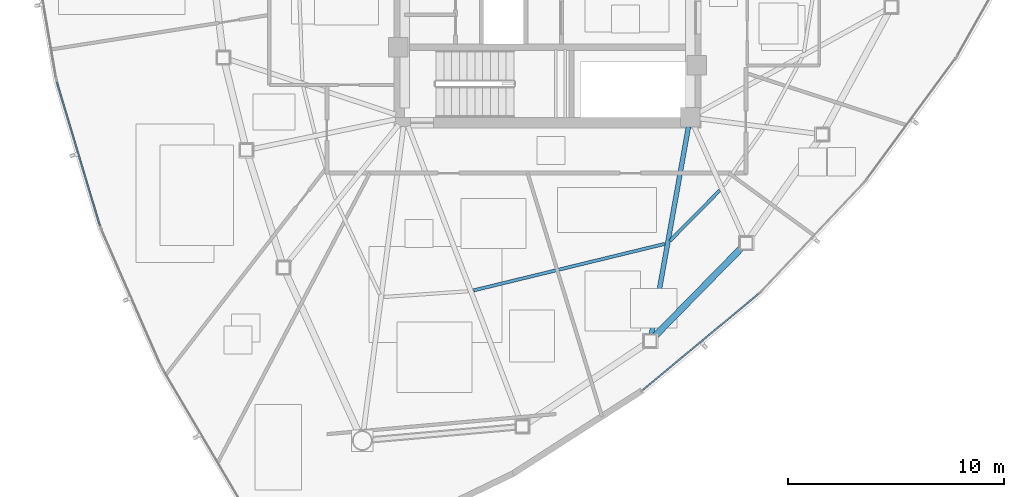
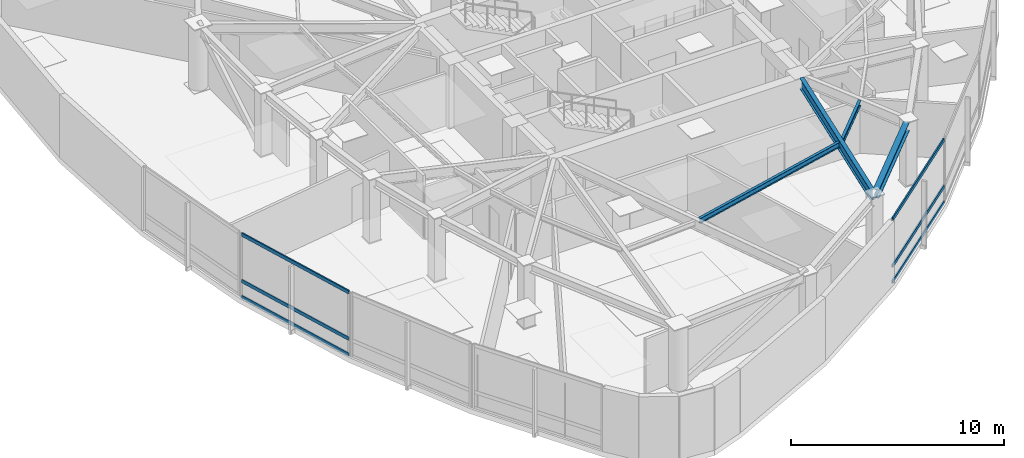
# One storey, part 3 of 15: 6 members, 4 beams, 2 elements without a shape of their own.
"""IFC4 building model written with IfcOpenShell, lengths in metres."""

import ifcopenshell
import ifcopenshell.guid

model = None  # the IFC model being written
_history = None  # IfcOwnerHistory: only IFC2X3 demands one
_inside = {}  # id of a spatial element -> (the spatial element, [elements in it])
_under = {}  # id of a project, library or spatial element -> (it, [spatial elements below it])
_declared = {}  # id of a project -> (the project, [libraries it declares])
_typed = {}  # id of a type object -> (the type object, [elements of that type])
_made_of = {}  # id of a material, layer set ... -> (it, [elements and type objects made of it])


def new_model(schema):
    """Start an empty IFC model of exactly this schema.

    Asked for "IFC4X3", IfcOpenShell would pick the latest addendum, in which some entities
    have other attributes; the version numbers below select the first issue.
    IFC2X3 requires an IfcOwnerHistory on every rooted entity: one is made here for all.
    """
    global model, _history
    if schema == "IFC4X3":
        model = ifcopenshell.file(schema_version=(4, 3, 0, 0))
    else:
        model = ifcopenshell.file(schema=schema)
    _inside.clear()
    _under.clear()
    _declared.clear()
    _typed.clear()
    _made_of.clear()
    _history = None
    if model.schema == "IFC2X3":
        org = make("IfcOrganization", Name="unknown")
        user = make(
            "IfcPersonAndOrganization",
            ThePerson=make("IfcPerson", FamilyName="unknown"),
            TheOrganization=org,
        )
        app = make(
            "IfcApplication",
            ApplicationDeveloper=org,
            Version="unknown",
            ApplicationFullName="unknown",
            ApplicationIdentifier="unknown",
        )
        _history = make(
            "IfcOwnerHistory",
            OwningUser=user,
            OwningApplication=app,
            ChangeAction="ADDED",
            CreationDate=0,
        )
    return model


def make(cls, **values):
    """One entity of the class cls with the attributes given. An attribute that is None is left unset."""
    return model.create_entity(
        cls, **{name: value for name, value in values.items() if value is not None}
    )


def rooted(cls, **values):
    """An entity with a GlobalId (a new one), such as an element, a storey or a relation."""
    return make(cls, GlobalId=ifcopenshell.guid.new(), OwnerHistory=_history, **values)


def si_unit(unit_type, name, prefix=None):
    """IfcSIUnit, for example si_unit("LENGTHUNIT", "METRE", prefix="MILLI")."""
    return make("IfcSIUnit", UnitType=unit_type, Prefix=prefix, Name=name)


def assignment(units):
    """IfcUnitAssignment: the units of a project."""
    return None if units is None else make("IfcUnitAssignment", Units=units)


def point(xyz):
    """IfcCartesianPoint."""
    return None if xyz is None else make("IfcCartesianPoint", Coordinates=xyz)


def direction(xyz):
    """IfcDirection."""
    return None if xyz is None else make("IfcDirection", DirectionRatios=xyz)


def frame(location, z_axis=None, x_axis=None):
    """IfcAxis2Placement3D, a coordinate frame: its origin and axes. An axis left out is left unset."""
    return make(
        "IfcAxis2Placement3D",
        Location=point(location),
        Axis=direction(z_axis),
        RefDirection=direction(x_axis),
    )


def frame_2d(location, x_axis=None):
    """IfcAxis2Placement2D, a coordinate frame in the plane: its origin and x axis."""
    return make(
        "IfcAxis2Placement2D", Location=point(location), RefDirection=direction(x_axis)
    )


def origin():
    """The frame at (0, 0, 0) with its axes left unset."""
    return frame((0.0, 0.0, 0.0))


def origin_2d():
    """The frame at (0, 0) in the plane with its x axis left unset."""
    return frame_2d((0.0, 0.0))


def place(relative_to, where):
    """IfcLocalPlacement: puts the frame where relative to a parent placement (None: the world)."""
    return make(
        "IfcLocalPlacement", PlacementRelTo=relative_to, RelativePlacement=where
    )


def context(
    kind, dimensions, precision=None, world=None, true_north=None, identifier=None
):
    """IfcGeometricRepresentationContext, for example the 3D "Model" context."""
    return make(
        "IfcGeometricRepresentationContext",
        ContextIdentifier=identifier,
        ContextType=kind,
        CoordinateSpaceDimension=dimensions,
        Precision=precision,
        WorldCoordinateSystem=world,
        TrueNorth=true_north,
    )


def subcontext(parent, identifier, kind, view, scale=None):
    """IfcGeometricRepresentationSubContext, for example "Body" below "Model"."""
    return make(
        "IfcGeometricRepresentationSubContext",
        ContextIdentifier=identifier,
        ContextType=kind,
        ParentContext=parent,
        TargetScale=scale,
        TargetView=view,
    )


def project(units=None, contexts=None):
    """IfcProject with its units and contexts."""
    return rooted(
        "IfcProject",
        Name="project",
        RepresentationContexts=contexts,
        UnitsInContext=assignment(units),
    )


def spatial(cls, under=None, at=None, **own):
    """A site, building, storey or space (cls), placed at a placement, below another one or the project."""
    s = rooted(cls, ObjectPlacement=at, **own)
    if under is not None:
        _under.setdefault(under.id(), (under, []))[1].append(s)
    return s


def profile(cls, at=None, kind="AREA", **sizes):
    """A parametric profile (cls). Its sizes go by their IFC names, for example OverallWidth=200.0."""
    return make(cls, ProfileType=kind, Position=at, **sizes)


def hollow_rectangle(**sizes):
    """IfcRectangleHollowProfileDef."""
    return profile("IfcRectangleHollowProfileDef", **sizes)


def i_section(**sizes):
    """IfcIShapeProfileDef."""
    return profile("IfcIShapeProfileDef", **sizes)


def extrude(swept, where, along, depth):
    """IfcExtrudedAreaSolid: the profile swept, set in the frame where, extruded along a direction by depth."""
    return make(
        "IfcExtrudedAreaSolid",
        SweptArea=swept,
        Position=where,
        ExtrudedDirection=direction(along),
        Depth=depth,
    )


def shape(context_of_items, identifier, shape_type, items):
    """IfcShapeRepresentation: the items that make up one representation, for example the "Body"."""
    return make(
        "IfcShapeRepresentation",
        ContextOfItems=context_of_items,
        RepresentationIdentifier=identifier,
        RepresentationType=shape_type,
        Items=items,
    )


def source(mapping_origin, context_of_items, identifier, shape_type, items):
    """IfcRepresentationMap: a shape defined once, which mapped items show again and again."""
    return make(
        "IfcRepresentationMap",
        MappingOrigin=mapping_origin,
        MappedRepresentation=shape(context_of_items, identifier, shape_type, items),
    )


def transform(
    local_origin,
    x_axis=None,
    y_axis=None,
    z_axis=None,
    scale=None,
    scale2=None,
    scale3=None,
    uniform=True,
):
    """IfcCartesianTransformationOperator3D, or its non-uniform kind. x_axis, y_axis, z_axis: its Axis1, 2, 3."""
    if uniform:
        return make(
            "IfcCartesianTransformationOperator3D",
            Axis1=direction(x_axis),
            Axis2=direction(y_axis),
            LocalOrigin=point(local_origin),
            Scale=scale,
            Axis3=direction(z_axis),
        )
    return make(
        "IfcCartesianTransformationOperator3DnonUniform",
        Axis1=direction(x_axis),
        Axis2=direction(y_axis),
        LocalOrigin=point(local_origin),
        Scale=scale,
        Axis3=direction(z_axis),
        Scale2=scale2,
        Scale3=scale3,
    )


def mapped(mapping_source, mapping_target):
    """IfcMappedItem: shows the shape of a source again, moved by a transform."""
    return make(
        "IfcMappedItem", MappingSource=mapping_source, MappingTarget=mapping_target
    )


def material(Name=None, Category=None):
    """IfcMaterial."""
    return make("IfcMaterial", Name=Name, Category=Category)


def layer(
    of_material, thickness, ventilated=None, Name=None, Category=None, Priority=None
):
    """IfcMaterialLayer: one layer of a wall or slab, of a material (None: an air gap)."""
    return make(
        "IfcMaterialLayer",
        Material=of_material,
        LayerThickness=thickness,
        IsVentilated=ventilated,
        Name=Name,
        Category=Category,
        Priority=Priority,
    )


def layer_set(layers, Name=None):
    """IfcMaterialLayerSet."""
    return make("IfcMaterialLayerSet", MaterialLayers=layers, LayerSetName=Name)


def material_profile(
    of_material, cross_section, Name=None, Category=None, Priority=None
):
    """IfcMaterialProfile: a cross section and its material."""
    return make(
        "IfcMaterialProfile",
        Name=Name,
        Material=of_material,
        Profile=cross_section,
        Priority=Priority,
        Category=Category,
    )


def profile_set(profiles, Name=None, composite=None):
    """IfcMaterialProfileSet."""
    return make(
        "IfcMaterialProfileSet",
        Name=Name,
        MaterialProfiles=profiles,
        CompositeProfile=composite,
    )


def made_of(thing, what):
    """Note that an element or type object is made of a material, layer set ...; save() writes the relation."""
    if what is not None:
        _made_of.setdefault(what.id(), (what, []))[1].append(thing)
    return thing


def type_object(cls, material=None, **own):
    """A type object (cls), such as IfcWallType, which elements share."""
    return made_of(rooted(cls, **own), material)


def type_shapes(of_type, sources):
    """Give a type object the sources (RepresentationMaps) that its elements show as mapped items."""
    of_type.RepresentationMaps = sources


def element(
    cls,
    number,
    at=None,
    inside=None,
    cuts=None,
    type_object=None,
    material=None,
    context=None,
    identifier="Body",
    shape_type=None,
    held_by="IfcProductDefinitionShape",
    body=None,
    shapes=None,
    **own,
):
    """One element of the class cls, such as IfcWall. Its Tag is "e" and its number.

    at: its placement. inside: the storey or other place that contains it. cuts: it is an
    opening in that element (IfcRelVoidsElement). A single representation is given by context,
    identifier, shape_type and body (its items); several are given by shapes. held_by: the class
    of the entity that holds the representations. save() writes the other relations.
    """
    e = rooted(cls, Tag="e%d" % number, ObjectPlacement=at, **own)
    if body is not None:
        shapes = [shape(context, identifier, shape_type, body)]
    if shapes is not None:
        e.Representation = make(held_by, Representations=shapes)
    if inside is not None:
        _inside.setdefault(inside.id(), (inside, []))[1].append(e)
    if cuts is not None:
        rooted(
            "IfcRelVoidsElement", RelatingBuildingElement=cuts, RelatedOpeningElement=e
        )
    if type_object is not None:
        _typed.setdefault(type_object.id(), (type_object, []))[1].append(e)
    return made_of(e, material)


def aggregate(whole, parts):
    """IfcRelAggregates: a whole, such as a stair, and the parts it consists of."""
    return rooted("IfcRelAggregates", RelatingObject=whole, RelatedObjects=parts)


def save(model, path):
    """Write the relations noted so far, then the file.

    IfcRelAggregates (storeys below a building ...), IfcRelContainedInSpatialStructure (elements
    in a storey), IfcRelDefinesByType, IfcRelAssociatesMaterial and IfcRelDeclares: one each for
    every whole, place, type object, material and project.
    """
    for whole, parts in _under.values():
        aggregate(whole, parts)
    for where, things in _inside.values():
        rooted(
            "IfcRelContainedInSpatialStructure",
            RelatedElements=things,
            RelatingStructure=where,
        )
    for kind, things in _typed.values():
        rooted("IfcRelDefinesByType", RelatedObjects=things, RelatingType=kind)
    for what, things in _made_of.values():
        rooted("IfcRelAssociatesMaterial", RelatedObjects=things, RelatingMaterial=what)
    for by, libraries in _declared.values():
        rooted("IfcRelDeclares", RelatingContext=by, RelatedDefinitions=libraries)
    model.write(path)


model = new_model("IFC4")

# Units and contexts
model_context = context("Model", 3, precision=1e-05, world=origin(), true_north=direction((0.0, 1.0)))
body_context = subcontext(model_context, "Body", "Model", "MODEL_VIEW")
ifc_project = project(units=[si_unit("LENGTHUNIT", "METRE"), si_unit("AREAUNIT", "SQUARE_METRE"), si_unit("VOLUMEUNIT", "CUBIC_METRE"), si_unit("PLANEANGLEUNIT", "RADIAN"), si_unit("MASSUNIT", "GRAM", prefix="KILO")], contexts=[model_context])

# Site, building, storey
site_placement = place(None, origin())
site = spatial("IfcSite", under=ifc_project, at=site_placement, CompositionType="ELEMENT")
building_placement = place(site_placement, origin())
building = spatial("IfcBuilding", under=site, at=building_placement, Name="Tavelor Broadcast Tower", CompositionType="ELEMENT")
storey_placement = place(building_placement, frame((0.0, 0.0, 222.14990234375)))
storey = spatial("IfcBuildingStorey", under=building, at=storey_placement, Name="L52", CompositionType="ELEMENT", Elevation=222.14990234375)

# Beams
ifc_material_1 = material(Name="Steel S355", Category="steel")
ifc_material_profile_1 = material_profile(ifc_material_1, i_section(OverallWidth=0.14990234375, OverallDepth=0.300048828125, WebThickness=0.007080078125, FlangeThickness=0.0107421875, at=origin_2d()), Name="IPE 300")
ifc_profile_set_1 = profile_set([ifc_material_profile_1], Name="Steel S355")
beam_type_1 = type_object("IfcBeamType", Name="Composite Floor Joist T5 IPE 300", PredefinedType="JOIST", material=ifc_profile_set_1)
beam_1_placement = place(storey_placement, frame((46.59423828125, 30.80078125, 3.5), z_axis=(0.971661934331, 0.236374883124, 0.0), x_axis=(-0.236374883124, 0.971661934331, 0.0)))
element("IfcBeam", 1, at=beam_1_placement, inside=storey, type_object=beam_type_1, Name="L52 Secondary Composite Floor Joist 08", PredefinedType="JOIST", context=body_context, shape_type="SweptSolid", body=[
    extrude(i_section(OverallWidth=0.14990234375, OverallDepth=0.300048828125, WebThickness=0.007080078125, FlangeThickness=0.0107421875, at=origin_2d()), origin(), (0.0, 0.0, 1.0), 9.089111328125),
])
beam_2_placement = place(storey_placement, frame((55.6591796875, 33.081298828125, 3.5), z_axis=(0.702295555333, 0.711885491465, 0.0), x_axis=(-0.711885491465, 0.702295555333, 0.0)))
element("IfcBeam", 2, at=beam_2_placement, inside=storey, type_object=beam_type_1, Name="L52 Secondary Composite Floor Joist 09", PredefinedType="JOIST", context=body_context, shape_type="SweptSolid", body=[
    extrude(i_section(OverallWidth=0.14990234375, OverallDepth=0.300048828125, WebThickness=0.007080078125, FlangeThickness=0.0107421875, at=origin_2d()), origin(), (0.0, 0.0, 1.0), 3.2841796875),
])
ifc_material_profile_2 = material_profile(ifc_material_1, i_section(OverallWidth=0.300048828125, OverallDepth=0.489990234375, WebThickness=0.011962890625, FlangeThickness=0.02294921875, at=origin_2d()), Name="HEA 500")
ifc_profile_set_2 = profile_set([ifc_material_profile_2], Name="Steel S355")
beam_type_2 = type_object("IfcBeamType", Name="Perimeter Spandrel Beam T5 HEA 500", PredefinedType="SPANDREL", material=ifc_profile_set_2)
beam_3_placement = place(storey_placement, frame((54.955810546875, 28.667236328125, 3.405029296875), z_axis=(0.70018873327, 0.713957798334, 0.0), x_axis=(-0.713957798334, 0.70018873327, 0.0)))
element("IfcBeam", 3, at=beam_3_placement, inside=storey, type_object=beam_type_2, Name="L52 Framed-Tube Ring Spandrel 09", PredefinedType="SPANDREL", context=body_context, shape_type="SweptSolid", body=[
    extrude(i_section(OverallWidth=0.300048828125, OverallDepth=0.489990234375, WebThickness=0.011962890625, FlangeThickness=0.02294921875, at=origin_2d()), origin(), (0.0, 0.0, 1.0), 5.7626953125),
])
ifc_material_profile_3 = material_profile(ifc_material_1, i_section(OverallWidth=0.219970703125, OverallDepth=0.60009765625, WebThickness=0.011962890625, FlangeThickness=0.01904296875, at=origin_2d()), Name="IPE 600")
ifc_profile_set_3 = profile_set([ifc_material_profile_3], Name="Steel S355")
beam_type_3 = type_object("IfcBeamType", Name="Radial Floor Girder T5 IPE 600", PredefinedType="BEAM", material=ifc_profile_set_3)
beam_4_placement = place(storey_placement, frame((56.524169921875, 38.374755859375, 3.35009765625), z_axis=(-0.175781136437, -0.984429272255, 0.0), x_axis=(0.984429272255, -0.175781136437, 0.0)))
element("IfcBeam", 4, at=beam_4_placement, inside=storey, type_object=beam_type_3, Name="L52 Radial Primary Floor Girder 09", PredefinedType="BEAM", context=body_context, shape_type="SweptSolid", body=[
    extrude(i_section(OverallWidth=0.219970703125, OverallDepth=0.60009765625, WebThickness=0.011962890625, FlangeThickness=0.01904296875, at=origin_2d()), origin(), (0.0, 0.0, 1.0), 9.781982421875),
])

# Curtain wall, members
ifc_material_2 = material(Name="Architectural Anodized Aluminium", Category="aluminium")
ifc_layer = layer(ifc_material_2, 0.199951171875)
ifc_layer_set = layer_set([ifc_layer], Name="Architectural Anodized Aluminium")
curtain_wall_type = type_object("IfcCurtainWallType", Name="Tower High-Zone Triple-Glazed Curtain Wall CW04", PredefinedType="NOTDEFINED", material=ifc_layer_set)
curtain_wall_1_placement = place(storey_placement, origin())
curtain_wall_1 = element("IfcCurtainWall", 5, at=curtain_wall_1_placement, inside=storey, type_object=curtain_wall_type, Name="L52 Curtain Wall CW04 Run 554", PredefinedType="NOTDEFINED")
ifc_material_profile_4 = material_profile(ifc_material_2, hollow_rectangle(XDim=0.070068359375, YDim=0.199951171875, WallThickness=0.02197265625, at=origin_2d()), Name="RHS 70x200x22")
ifc_profile_set_4 = profile_set([ifc_material_profile_4], Name="Architectural Anodized Aluminium")
member_type = type_object("IfcMemberType", Name="CW04 Extruded Aluminium Transom 70x200", PredefinedType="USERDEFINED", material=ifc_profile_set_4)
shared_shape_1 = source(origin(), body_context, "Body", "SweptSolid", [
    extrude(hollow_rectangle(XDim=0.070068359375, YDim=0.199951171875, WallThickness=0.02197265625, at=origin_2d()), origin(), (0.0, 0.0, 1.0), 6.931884765625),
])
member_1_placement = place(storey_placement, frame((27.321533203125, 40.43798828125, 0.03515625), z_axis=(0.286969817257, -0.957939624394, 0.0), x_axis=(0.957939624394, 0.286969817257, 0.0)))
member_1 = element("IfcMember", 6, at=member_1_placement, type_object=member_type, Name="CW04 transom 1.1", ObjectType="TRANSOM", PredefinedType="USERDEFINED", context=body_context, shape_type="MappedRepresentation", body=[
    mapped(shared_shape_1, transform((0.0, 0.0, 0.0), scale=1.0)),
])
member_2_placement = place(storey_placement, frame((27.321533203125, 40.43798828125, 0.9501953125), z_axis=(0.286969817257, -0.957939624394, 0.0), x_axis=(0.957939624394, 0.286969817257, 0.0)))
member_2 = element("IfcMember", 7, at=member_2_placement, type_object=member_type, Name="CW04 transom 1.2", ObjectType="TRANSOM", PredefinedType="USERDEFINED", context=body_context, shape_type="MappedRepresentation", body=[
    mapped(shared_shape_1, transform((0.0, 0.0, 0.0), scale=1.0)),
])
member_3_placement = place(storey_placement, frame((27.321533203125, 40.43798828125, 3.614990234375), z_axis=(0.286969817257, -0.957939624394, 0.0), x_axis=(0.957939624394, 0.286969817257, 0.0)))
member_3 = element("IfcMember", 8, at=member_3_placement, type_object=member_type, Name="CW04 transom 1.3", ObjectType="TRANSOM", PredefinedType="USERDEFINED", context=body_context, shape_type="MappedRepresentation", body=[
    mapped(shared_shape_1, transform((0.0, 0.0, 0.0), scale=1.0)),
])
aggregate(curtain_wall_1, [member_1, member_2, member_3])

curtain_wall_2_placement = place(storey_placement, origin())
curtain_wall_2 = element("IfcCurtainWall", 9, at=curtain_wall_2_placement, inside=storey, type_object=curtain_wall_type, Name="L52 Curtain Wall CW04 Run 557", PredefinedType="NOTDEFINED")
shared_shape_2 = source(origin(), body_context, "Body", "SweptSolid", [
    extrude(hollow_rectangle(XDim=0.070068359375, YDim=0.199951171875, WallThickness=0.02197265625, at=origin_2d()), origin(), (0.0, 0.0, 1.0), 6.947021484375),
])
type_shapes(member_type, [shared_shape_1, shared_shape_2])
member_4_placement = place(storey_placement, frame((54.42333984375, 26.20263671875, 0.03515625), z_axis=(0.769110641382, 0.639115655662, 0.0), x_axis=(-0.639115655662, 0.769110641382, 0.0)))
member_4 = element("IfcMember", 10, at=member_4_placement, type_object=member_type, Name="CW04 transom 1.1", ObjectType="TRANSOM", PredefinedType="USERDEFINED", context=body_context, shape_type="MappedRepresentation", body=[
    mapped(shared_shape_2, transform((0.0, 0.0, 0.0), scale=1.0)),
])
member_5_placement = place(storey_placement, frame((54.42333984375, 26.20263671875, 0.9501953125), z_axis=(0.769110641382, 0.639115655662, 0.0), x_axis=(-0.639115655662, 0.769110641382, 0.0)))
member_5 = element("IfcMember", 11, at=member_5_placement, type_object=member_type, Name="CW04 transom 1.2", ObjectType="TRANSOM", PredefinedType="USERDEFINED", context=body_context, shape_type="MappedRepresentation", body=[
    mapped(shared_shape_2, transform((0.0, 0.0, 0.0), scale=1.0)),
])
member_6_placement = place(storey_placement, frame((54.42333984375, 26.20263671875, 3.614990234375), z_axis=(0.769110641382, 0.639115655662, 0.0), x_axis=(-0.639115655662, 0.769110641382, 0.0)))
member_6 = element("IfcMember", 12, at=member_6_placement, type_object=member_type, Name="CW04 transom 1.3", ObjectType="TRANSOM", PredefinedType="USERDEFINED", context=body_context, shape_type="MappedRepresentation", body=[
    mapped(shared_shape_2, transform((0.0, 0.0, 0.0), scale=1.0)),
])
aggregate(curtain_wall_2, [member_4, member_5, member_6])

save(model, "model.ifc")
